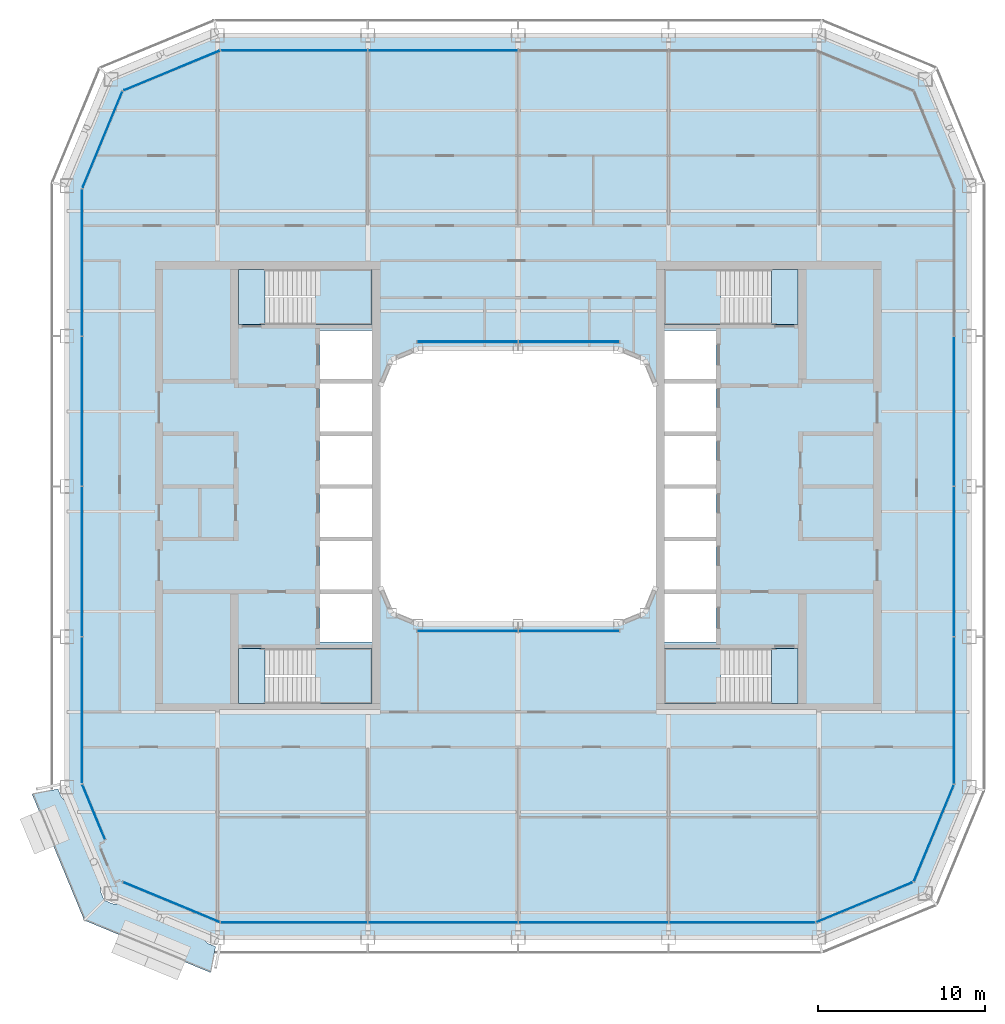
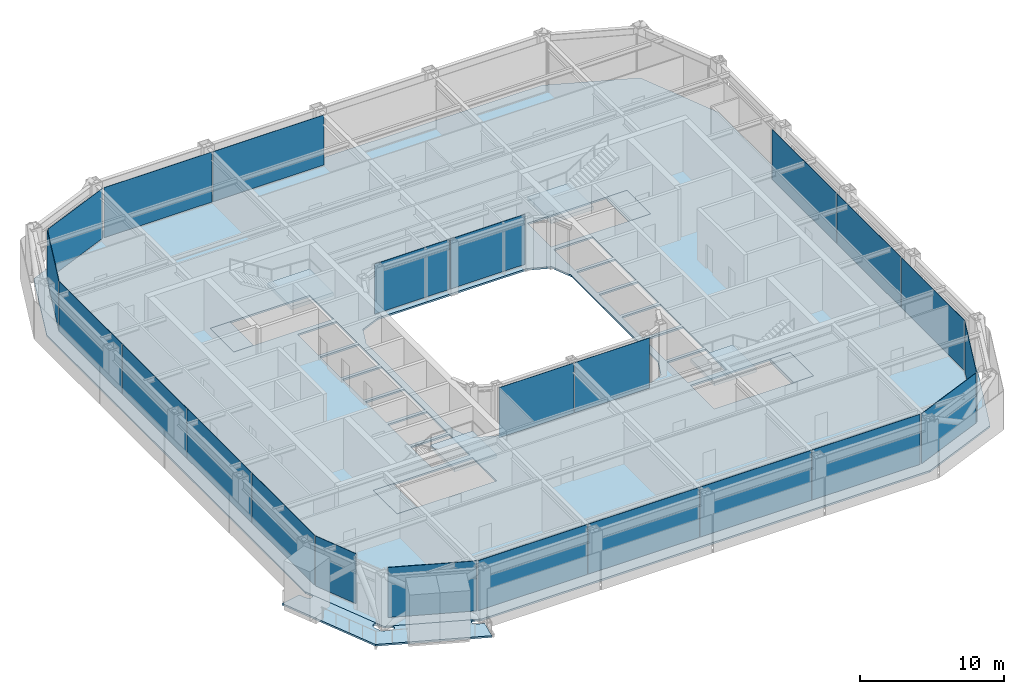
# One storey, part 11 of 23: 23 plates, 10 slabs, 16 elements without a shape of their own.
"""IFC4 building model written with IfcOpenShell, lengths in metres."""

from ifc_helpers import new_model, si_unit, direction, frame, origin, origin_2d, place, context, subcontext, project, spatial, polyline, rectangle, outline, extrude, material, layer, layer_set, type_object, element, aggregate, save


model = new_model("IFC4")

# Units and contexts
model_context = context("Model", 3, precision=1e-05, world=origin(), true_north=direction((0.0, 1.0)))
body_context = subcontext(model_context, "Body", "Model", "MODEL_VIEW")
ifc_project = project(units=[si_unit("LENGTHUNIT", "METRE"), si_unit("AREAUNIT", "SQUARE_METRE"), si_unit("VOLUMEUNIT", "CUBIC_METRE"), si_unit("PLANEANGLEUNIT", "RADIAN"), si_unit("MASSUNIT", "GRAM", prefix="KILO")], contexts=[model_context])

# Site, building, storey
site_placement = place(None, origin())
site = spatial("IfcSite", under=ifc_project, at=site_placement, CompositionType="ELEMENT")
building_placement = place(site_placement, origin())
building = spatial("IfcBuilding", under=site, at=building_placement, Name="Siwar Civic Tower", CompositionType="ELEMENT")
storey_placement = place(building_placement, frame((0.0, 0.0, 197.199951171875)))
storey = spatial("IfcBuildingStorey", under=building, at=storey_placement, Name="L42", CompositionType="ELEMENT", Elevation=197.199951171875)

# Stair, slabs
ifc_material_1 = material(Name="Concrete C40/50", Category="concrete")
stair_type = type_object("IfcStairType", Name="CORE-STAIR", PredefinedType="TWO_STRAIGHT_RUN_STAIR", material=ifc_material_1)
stair_1_placement = place(storey_placement, origin())
stair_1 = element("IfcStair", 1, at=stair_1_placement, inside=storey, type_object=stair_type, Name="Exit stair ST1", PredefinedType="TWO_STRAIGHT_RUN_STAIR")
ifc_material_2 = material(Name="Concrete C40/50", Category="concrete")
ifc_layer_1 = layer(ifc_material_2, 0.300048828125)
ifc_layer_set_1 = layer_set([ifc_layer_1], Name="Concrete C40/50")
slab_type_1 = type_object("IfcSlabType", Name="CORE-STAIR-LANDING", PredefinedType="LANDING", material=ifc_layer_set_1)
slab_1_placement = place(storey_placement, frame((0.0, 0.0, -0.300048828125)))
slab_1 = element("IfcSlab", 2, at=slab_1_placement, type_object=slab_type_1, Name="ST1 landing 1", PredefinedType="LANDING", context=body_context, shape_type="SweptSolid", body=[
    extrude(outline(polyline([(-15.14990234375, 13.0), (-16.75, 13.0), (-16.75, 9.699951171875), (-15.14990234375, 9.699951171875), (-15.14990234375, 13.0)])), origin(), (0.0, 0.0, 1.0), 0.300048828125),
])
slab_2_placement = place(storey_placement, frame((0.0, 0.0, 1.949951171875)))
slab_2 = element("IfcSlab", 3, at=slab_2_placement, type_object=slab_type_1, Name="ST1 landing 2", PredefinedType="LANDING", context=body_context, shape_type="SweptSolid", body=[
    extrude(outline(polyline([(-8.75, 13.0), (-12.139892578125, 13.0), (-12.139892578125, 9.699951171875), (-8.75, 9.699951171875), (-8.75, 13.0)])), origin(), (0.0, 0.0, 1.0), 0.300048828125),
])
aggregate(stair_1, [slab_1, slab_2])

stair_2_placement = place(storey_placement, origin())
stair_2 = element("IfcStair", 4, at=stair_2_placement, inside=storey, type_object=stair_type, Name="Exit stair ST2", PredefinedType="TWO_STRAIGHT_RUN_STAIR")
slab_3_placement = place(storey_placement, frame((0.0, 0.0, -0.300048828125)))
slab_3 = element("IfcSlab", 5, at=slab_3_placement, type_object=slab_type_1, Name="ST2 landing 1", PredefinedType="LANDING", context=body_context, shape_type="SweptSolid", body=[
    extrude(outline(polyline([(-15.14990234375, -9.699951171875), (-16.75, -9.699951171875), (-16.75, -13.0), (-15.14990234375, -13.0), (-15.14990234375, -9.699951171875)])), origin(), (0.0, 0.0, 1.0), 0.300048828125),
])
slab_4_placement = place(storey_placement, frame((0.0, 0.0, 1.949951171875)))
slab_4 = element("IfcSlab", 6, at=slab_4_placement, type_object=slab_type_1, Name="ST2 landing 2", PredefinedType="LANDING", context=body_context, shape_type="SweptSolid", body=[
    extrude(outline(polyline([(-8.75, -9.699951171875), (-12.139892578125, -9.699951171875), (-12.139892578125, -13.0), (-8.75, -13.0), (-8.75, -9.699951171875)])), origin(), (0.0, 0.0, 1.0), 0.300048828125),
])
aggregate(stair_2, [slab_3, slab_4])

stair_3_placement = place(storey_placement, origin())
stair_3 = element("IfcStair", 7, at=stair_3_placement, inside=storey, type_object=stair_type, Name="Exit stair ST3", PredefinedType="TWO_STRAIGHT_RUN_STAIR")
slab_5_placement = place(storey_placement, frame((0.0, 0.0, -0.300048828125)))
slab_5 = element("IfcSlab", 8, at=slab_5_placement, type_object=slab_type_1, Name="ST3 landing 1", PredefinedType="LANDING", context=body_context, shape_type="SweptSolid", body=[
    extrude(outline(polyline([(15.14990234375, 9.699951171875), (16.75, 9.699951171875), (16.75, 13.0), (15.14990234375, 13.0), (15.14990234375, 9.699951171875)])), origin(), (0.0, 0.0, 1.0), 0.300048828125),
])
slab_6_placement = place(storey_placement, frame((0.0, 0.0, 1.949951171875)))
slab_6 = element("IfcSlab", 9, at=slab_6_placement, type_object=slab_type_1, Name="ST3 landing 2", PredefinedType="LANDING", context=body_context, shape_type="SweptSolid", body=[
    extrude(outline(polyline([(8.75, 9.699951171875), (12.139892578125, 9.699951171875), (12.139892578125, 13.0), (8.75, 13.0), (8.75, 9.699951171875)])), origin(), (0.0, 0.0, 1.0), 0.300048828125),
])
aggregate(stair_3, [slab_5, slab_6])

stair_4_placement = place(storey_placement, origin())
stair_4 = element("IfcStair", 10, at=stair_4_placement, inside=storey, type_object=stair_type, Name="Exit stair ST4", PredefinedType="TWO_STRAIGHT_RUN_STAIR")
slab_7_placement = place(storey_placement, frame((0.0, 0.0, -0.300048828125)))
slab_7 = element("IfcSlab", 11, at=slab_7_placement, type_object=slab_type_1, Name="ST4 landing 1", PredefinedType="LANDING", context=body_context, shape_type="SweptSolid", body=[
    extrude(outline(polyline([(15.14990234375, -13.0), (16.75, -13.0), (16.75, -9.699951171875), (15.14990234375, -9.699951171875), (15.14990234375, -13.0)])), origin(), (0.0, 0.0, 1.0), 0.300048828125),
])
slab_8_placement = place(storey_placement, frame((0.0, 0.0, 1.949951171875)))
slab_8 = element("IfcSlab", 12, at=slab_8_placement, type_object=slab_type_1, Name="ST4 landing 2", PredefinedType="LANDING", context=body_context, shape_type="SweptSolid", body=[
    extrude(outline(polyline([(8.75, -13.0), (12.139892578125, -13.0), (12.139892578125, -9.699951171875), (8.75, -9.699951171875), (8.75, -13.0)])), origin(), (0.0, 0.0, 1.0), 0.300048828125),
])
aggregate(stair_4, [slab_7, slab_8])

# Slab
ifc_material_3 = material(Name="Concrete C40/50", Category="concrete")
ifc_layer_2 = layer(ifc_material_3, 0.14990234375)
ifc_layer_set_2 = layer_set([ifc_layer_2], Name="Concrete C40/50")
slab_type_2 = type_object("IfcSlabType", Name="ENV-BALCONY DECK 150", PredefinedType="FLOOR", material=ifc_layer_set_2)
slab_9_placement = place(storey_placement, frame((0.0, 0.0, -0.1494140625)))
element("IfcSlab", 13, at=slab_9_placement, inside=storey, type_object=slab_type_2, Name="Tree balcony deck SW", PredefinedType="FLOOR", context=body_context, shape_type="SweptSolid", body=[
    extrude(outline(polyline([(-24.66552734375, -24.81689453125), (-24.6796875, -24.808837890625), (-24.68701171875, -24.80419921875), (-24.693603515625, -24.798583984375), (-24.7041015625, -24.7890625), (-24.7890625, -24.7890625), (-24.7890625, -24.712646484375), (-24.801025390625, -24.695556640625), (-24.806640625, -24.686279296875), (-24.818603515625, -24.662353515625), (-24.82080078125, -24.657470703125), (-24.82080078125, -24.657470703125), (-24.82080078125, -24.657470703125), (-24.82080078125, -24.657470703125), (-24.82080078125, -24.657470703125), (-24.82421875, -24.649658203125), (-24.924560546875, -24.40869140625), (-24.94384765625, -24.362060546875), (-24.94482421875, -24.35986328125), (-24.96533203125, -24.305419921875), (-24.967041015625, -24.300537109375), (-24.98388671875, -24.244873046875), (-24.985595703125, -24.238037109375), (-24.99560546875, -24.189208984375), (-24.99658203125, -24.183837890625), (-25.002685546875, -24.13427734375), (-25.003173828125, -24.12890625), (-25.006103515625, -24.0791015625), (-25.006103515625, -24.073974609375), (-25.005615234375, -24.024169921875), (-25.00537109375, -24.0185546875), (-25.004638671875, -24.0126953125), (-24.99755859375, -23.970947265625), (-24.995849609375, -23.96337890625), (-24.993408203125, -23.9560546875), (-24.98046875, -23.922607421875), (-24.978271484375, -23.91748046875), (-24.962646484375, -23.88525390625), (-24.96044921875, -23.880615234375), (-24.942626953125, -23.849365234375), (-24.93896484375, -23.84326171875), (-24.9345703125, -23.837646484375), (-24.9296875, -23.83251953125), (-24.906982421875, -23.810546875), (-24.900634765625, -23.804931640625), (-24.8935546875, -23.80029296875), (-24.885986328125, -23.796142578125), (-24.85888671875, -23.78369140625), (-24.85400390625, -23.78173828125), (-24.826171875, -23.771240234375), (-24.818115234375, -23.768798828125), (-24.8095703125, -23.76708984375), (-24.80126953125, -23.7666015625), (-24.769775390625, -23.765869140625), (-24.762451171875, -23.76611328125), (-24.75537109375, -23.766845703125), (-24.74853515625, -23.7685546875), (-24.7138671875, -23.77783203125), (-24.708984375, -23.779541015625), (-24.675048828125, -23.791259765625), (-24.669921875, -23.793212890625), (-24.636962890625, -23.8076171875), (-24.630126953125, -23.81103515625), (-24.62353515625, -23.815185546875), (-24.5888671875, -23.839599609375), (-24.58447265625, -23.84326171875), (-24.580078125, -23.846923828125), (-24.57666015625, -23.85009765625), (-26.77978515625, -18.531494140625), (-26.7802734375, -18.5654296875), (-26.780517578125, -18.5712890625), (-26.78125, -18.576904296875), (-26.788330078125, -18.61865234375), (-26.789794921875, -18.626220703125), (-26.792236328125, -18.633544921875), (-26.805419921875, -18.6669921875), (-26.8076171875, -18.672119140625), (-26.822998046875, -18.70458984375), (-26.825439453125, -18.709228515625), (-26.84326171875, -18.740234375), (-26.846923828125, -18.746337890625), (-26.851318359375, -18.751953125), (-26.856201171875, -18.75732421875), (-26.87890625, -18.779052734375), (-26.88525390625, -18.78466796875), (-26.892333984375, -18.78955078125), (-26.899658203125, -18.79345703125), (-26.927001953125, -18.805908203125), (-26.931884765625, -18.80810546875), (-26.959716796875, -18.818603515625), (-26.9677734375, -18.821044921875), (-26.97607421875, -18.82275390625), (-26.984619140625, -18.8232421875), (-27.01611328125, -18.823974609375), (-27.023193359375, -18.82373046875), (-27.0302734375, -18.82275390625), (-27.037353515625, -18.8212890625), (-27.072021484375, -18.811767578125), (-27.076904296875, -18.810302734375), (-27.11083984375, -18.79833984375), (-27.115966796875, -18.79638671875), (-27.14892578125, -18.7822265625), (-27.15576171875, -18.77880859375), (-27.162353515625, -18.774658203125), (-27.197021484375, -18.75), (-27.201416015625, -18.74658203125), (-27.205810546875, -18.74267578125), (-27.241455078125, -18.7080078125), (-27.2451171875, -18.704345703125), (-27.278564453125, -18.667236328125), (-27.281982421875, -18.663330078125), (-27.312744140625, -18.623779296875), (-27.31591796875, -18.619384765625), (-27.343505859375, -18.577880859375), (-27.34716796875, -18.57177734375), (-27.374755859375, -18.520751953125), (-27.377197265625, -18.51611328125), (-27.4013671875, -18.463134765625), (-27.40234375, -18.4609375), (-27.405517578125, -18.453125), (-27.417236328125, -18.425048828125), (-27.425048828125, -18.425048828125), (-27.425048828125, -18.406494140625), (-27.522216796875, -18.17333984375), (-27.525390625, -18.16552734375), (-27.525390625, -18.16552734375), (-27.52783203125, -18.15869140625), (-27.533935546875, -18.13916015625), (-27.53564453125, -18.13232421875), (-27.53662109375, -18.12548828125), (-27.538818359375, -18.107177734375), (-29.10009765625, -18.417724609375), (-25.97119140625, -25.97119140625), (-18.417724609375, -29.10009765625), (-18.106689453125, -27.5361328125), (-18.107421875, -27.5361328125), (-18.1240234375, -27.535400390625), (-18.1328125, -27.53466796875), (-18.141357421875, -27.53271484375), (-18.156982421875, -27.5283203125), (-18.16552734375, -27.525390625), (-18.170166015625, -27.5234375), (-18.17333984375, -27.522216796875), (-18.18896484375, -27.515625), (-18.227783203125, -27.49951171875), (-18.240234375, -27.494140625), (-18.406494140625, -27.425048828125), (-18.425048828125, -27.425048828125), (-18.425048828125, -27.417236328125), (-18.453125, -27.405517578125), (-18.4609375, -27.40234375), (-18.463134765625, -27.4013671875), (-18.51611328125, -27.377197265625), (-18.520751953125, -27.374755859375), (-18.57177734375, -27.34716796875), (-18.577880859375, -27.343505859375), (-18.619384765625, -27.31591796875), (-18.623779296875, -27.312744140625), (-18.663330078125, -27.281982421875), (-18.667236328125, -27.278564453125), (-18.704345703125, -27.2451171875), (-18.7080078125, -27.241455078125), (-18.74267578125, -27.205810546875), (-18.74658203125, -27.201416015625), (-18.75, -27.197021484375), (-18.774658203125, -27.162353515625), (-18.77880859375, -27.15576171875), (-18.7822265625, -27.14892578125), (-18.79638671875, -27.115966796875), (-18.79833984375, -27.11083984375), (-18.810302734375, -27.076904296875), (-18.811767578125, -27.072021484375), (-18.8212890625, -27.037353515625), (-18.82275390625, -27.0302734375), (-18.82373046875, -27.023193359375), (-18.823974609375, -27.01611328125), (-18.8232421875, -26.984619140625), (-18.82275390625, -26.97607421875), (-18.821044921875, -26.9677734375), (-18.818603515625, -26.959716796875), (-18.80810546875, -26.931884765625), (-18.805908203125, -26.927001953125), (-18.79345703125, -26.899658203125), (-18.78955078125, -26.892333984375), (-18.78466796875, -26.88525390625), (-18.779052734375, -26.87890625), (-18.75732421875, -26.856201171875), (-18.751953125, -26.851318359375), (-18.746337890625, -26.846923828125), (-18.740234375, -26.84326171875), (-18.709228515625, -26.825439453125), (-18.70458984375, -26.822998046875), (-18.672119140625, -26.8076171875), (-18.6669921875, -26.805419921875), (-18.633544921875, -26.792236328125), (-18.626220703125, -26.789794921875), (-18.61865234375, -26.788330078125), (-18.576904296875, -26.78125), (-18.5712890625, -26.780517578125), (-18.5654296875, -26.7802734375), (-18.531494140625, -26.77978515625), (-23.85009765625, -24.57666015625), (-23.846923828125, -24.580078125), (-23.84326171875, -24.58447265625), (-23.839599609375, -24.5888671875), (-23.815185546875, -24.62353515625), (-23.81103515625, -24.630126953125), (-23.8076171875, -24.636962890625), (-23.793212890625, -24.669921875), (-23.791259765625, -24.675048828125), (-23.779541015625, -24.708984375), (-23.77783203125, -24.7138671875), (-23.7685546875, -24.74853515625), (-23.766845703125, -24.75537109375), (-23.76611328125, -24.762451171875), (-23.765869140625, -24.769775390625), (-23.7666015625, -24.80126953125), (-23.76708984375, -24.8095703125), (-23.768798828125, -24.818115234375), (-23.771240234375, -24.826171875), (-23.78173828125, -24.85400390625), (-23.78369140625, -24.85888671875), (-23.796142578125, -24.885986328125), (-23.80029296875, -24.8935546875), (-23.804931640625, -24.900634765625), (-23.810546875, -24.906982421875), (-23.83251953125, -24.9296875), (-23.837646484375, -24.9345703125), (-23.84326171875, -24.93896484375), (-23.849365234375, -24.942626953125), (-23.880615234375, -24.96044921875), (-23.88525390625, -24.962646484375), (-23.91748046875, -24.978271484375), (-23.922607421875, -24.98046875), (-23.9560546875, -24.993408203125), (-23.96337890625, -24.995849609375), (-23.970947265625, -24.99755859375), (-24.0126953125, -25.004638671875), (-24.0185546875, -25.00537109375), (-24.024169921875, -25.005615234375), (-24.073974609375, -25.006103515625), (-24.0791015625, -25.006103515625), (-24.12890625, -25.003173828125), (-24.13427734375, -25.002685546875), (-24.183837890625, -24.99658203125), (-24.189208984375, -24.99560546875), (-24.238037109375, -24.985595703125), (-24.244873046875, -24.98388671875), (-24.300537109375, -24.967041015625), (-24.305419921875, -24.96533203125), (-24.35986328125, -24.94482421875), (-24.362060546875, -24.94384765625), (-24.40869140625, -24.924560546875), (-24.649658203125, -24.82421875), (-24.657470703125, -24.82080078125), (-24.66552734375, -24.81689453125)])), origin(), (0.0, 0.0, 1.0), 0.1494140625),
])

# Curtain wall, plates
ifc_material_4 = material(Name="Aluminium and glass", Category="aluminium")
ifc_layer_3 = layer(ifc_material_4, 0.179931640625)
ifc_layer_set_3 = layer_set([ifc_layer_3], Name="Aluminium and glass")
curtain_wall_type_1 = type_object("IfcCurtainWallType", Name="ENV-CW-C", PredefinedType="NOTDEFINED", material=ifc_layer_set_3)
curtain_wall_1_placement = place(storey_placement, origin())
curtain_wall_1 = element("IfcCurtainWall", 14, at=curtain_wall_1_placement, inside=storey, type_object=curtain_wall_type_1, Name="Curtain wall C S", PredefinedType="NOTDEFINED")
ifc_material_5 = material(Name="Glass clear laminated", Category="glass")
ifc_layer_4 = layer(ifc_material_5, 0.031982421875)
ifc_layer_set_4 = layer_set([ifc_layer_4], Name="Glass clear laminated")
plate_type_1 = type_object("IfcPlateType", Name="ENV-PANEL-C", PredefinedType="CURTAIN_PANEL", material=ifc_layer_set_4)
plate_1_placement = place(storey_placement, frame((-13.410400390625, -26.10009765625, 0.10009765625), z_axis=(0.0, 0.0, 1.0), x_axis=(1.0, 0.0, 0.0)))
plate_1 = element("IfcPlate", 15, at=plate_1_placement, type_object=plate_type_1, Name="Curtain panel C S 1", PredefinedType="CURTAIN_PANEL", context=body_context, shape_type="SweptSolid", body=[
    extrude(rectangle(XDim=8.760986328125, YDim=0.031982421875, at=origin_2d()), origin(), (0.0, 0.0, 1.0), 4.25),
])
plate_2_placement = place(storey_placement, frame((-4.5, -26.10009765625, 0.10009765625), z_axis=(0.0, 0.0, 1.0), x_axis=(1.0, 0.0, 0.0)))
plate_2 = element("IfcPlate", 16, at=plate_2_placement, type_object=plate_type_1, Name="Curtain panel C S 2", PredefinedType="CURTAIN_PANEL", context=body_context, shape_type="SweptSolid", body=[
    extrude(rectangle(XDim=8.93994140625, YDim=0.031982421875, at=origin_2d()), origin(), (0.0, 0.0, 1.0), 4.25),
])
plate_3_placement = place(storey_placement, frame((4.5, -26.10009765625, 0.10009765625), z_axis=(0.0, 0.0, 1.0), x_axis=(1.0, 0.0, 0.0)))
plate_3 = element("IfcPlate", 17, at=plate_3_placement, type_object=plate_type_1, Name="Curtain panel C S 3", PredefinedType="CURTAIN_PANEL", context=body_context, shape_type="SweptSolid", body=[
    extrude(rectangle(XDim=8.93994140625, YDim=0.031982421875, at=origin_2d()), origin(), (0.0, 0.0, 1.0), 4.25),
])
plate_4_placement = place(storey_placement, frame((13.373046875, -26.10009765625, 0.10009765625), z_axis=(0.0, 0.0, 1.0), x_axis=(1.0, 0.0, 0.0)))
plate_4 = element("IfcPlate", 18, at=plate_4_placement, type_object=plate_type_1, Name="Curtain panel C S 4", PredefinedType="CURTAIN_PANEL", context=body_context, shape_type="SweptSolid", body=[
    extrude(rectangle(XDim=8.68603515625, YDim=0.031982421875, at=origin_2d()), origin(), (0.0, 0.0, 1.0), 4.25),
])
aggregate(curtain_wall_1, [plate_1, plate_2, plate_3, plate_4])

curtain_wall_2_placement = place(storey_placement, origin())
curtain_wall_2 = element("IfcCurtainWall", 19, at=curtain_wall_2_placement, inside=storey, type_object=curtain_wall_type_1, Name="Curtain wall C E", PredefinedType="NOTDEFINED")
plate_5_placement = place(storey_placement, frame((26.10009765625, -13.410400390625, 0.10009765625), z_axis=(0.0, 0.0, 1.0), x_axis=(0.0, 1.0, 0.0)))
plate_5 = element("IfcPlate", 20, at=plate_5_placement, type_object=plate_type_1, Name="Curtain panel C E 1", PredefinedType="CURTAIN_PANEL", context=body_context, shape_type="SweptSolid", body=[
    extrude(rectangle(XDim=8.760986328125, YDim=0.031982421875, at=origin_2d()), origin(), (0.0, 0.0, 1.0), 4.25),
])
plate_6_placement = place(storey_placement, frame((26.10009765625, -4.5, 0.10009765625), z_axis=(0.0, 0.0, 1.0), x_axis=(0.0, 1.0, 0.0)))
plate_6 = element("IfcPlate", 21, at=plate_6_placement, type_object=plate_type_1, Name="Curtain panel C E 2", PredefinedType="CURTAIN_PANEL", context=body_context, shape_type="SweptSolid", body=[
    extrude(rectangle(XDim=8.93994140625, YDim=0.031982421875, at=origin_2d()), origin(), (0.0, 0.0, 1.0), 4.25),
])
plate_7_placement = place(storey_placement, frame((26.10009765625, 4.5, 0.10009765625), z_axis=(0.0, 0.0, 1.0), x_axis=(0.0, 1.0, 0.0)))
plate_7 = element("IfcPlate", 22, at=plate_7_placement, type_object=plate_type_1, Name="Curtain panel C E 3", PredefinedType="CURTAIN_PANEL", context=body_context, shape_type="SweptSolid", body=[
    extrude(rectangle(XDim=8.93994140625, YDim=0.031982421875, at=origin_2d()), origin(), (0.0, 0.0, 1.0), 4.25),
])
aggregate(curtain_wall_2, [plate_5, plate_6, plate_7])

curtain_wall_3_placement = place(storey_placement, origin())
curtain_wall_3 = element("IfcCurtainWall", 23, at=curtain_wall_3_placement, inside=storey, type_object=curtain_wall_type_1, Name="Curtain wall C N", PredefinedType="NOTDEFINED")
plate_8_placement = place(storey_placement, frame((-4.5, 26.10009765625, 0.10009765625), z_axis=(0.0, 0.0, 1.0), x_axis=(-1.0, 0.0, 0.0)))
plate_8 = element("IfcPlate", 24, at=plate_8_placement, type_object=plate_type_1, Name="Curtain panel C N 3", PredefinedType="CURTAIN_PANEL", context=body_context, shape_type="SweptSolid", body=[
    extrude(rectangle(XDim=8.93994140625, YDim=0.031982421875, at=origin_2d()), origin(), (0.0, 0.0, 1.0), 4.25),
])
plate_9_placement = place(storey_placement, frame((-13.373046875, 26.10009765625, 0.10009765625), z_axis=(0.0, 0.0, 1.0), x_axis=(-1.0, 0.0, 0.0)))
plate_9 = element("IfcPlate", 25, at=plate_9_placement, type_object=plate_type_1, Name="Curtain panel C N 4", PredefinedType="CURTAIN_PANEL", context=body_context, shape_type="SweptSolid", body=[
    extrude(rectangle(XDim=8.68603515625, YDim=0.031982421875, at=origin_2d()), origin(), (0.0, 0.0, 1.0), 4.25),
])
aggregate(curtain_wall_3, [plate_8, plate_9])

curtain_wall_4_placement = place(storey_placement, origin())
curtain_wall_4 = element("IfcCurtainWall", 26, at=curtain_wall_4_placement, inside=storey, type_object=curtain_wall_type_1, Name="Curtain wall C W", PredefinedType="NOTDEFINED")
plate_10_placement = place(storey_placement, frame((-26.10009765625, 13.410400390625, 0.10009765625), z_axis=(0.0, 0.0, 1.0), x_axis=(0.0, -1.0, 0.0)))
plate_10 = element("IfcPlate", 27, at=plate_10_placement, type_object=plate_type_1, Name="Curtain panel C W 1", PredefinedType="CURTAIN_PANEL", context=body_context, shape_type="SweptSolid", body=[
    extrude(rectangle(XDim=8.760986328125, YDim=0.031982421875, at=origin_2d()), origin(), (0.0, 0.0, 1.0), 4.25),
])
plate_11_placement = place(storey_placement, frame((-26.10009765625, 4.5, 0.10009765625), z_axis=(0.0, 0.0, 1.0), x_axis=(0.0, -1.0, 0.0)))
plate_11 = element("IfcPlate", 28, at=plate_11_placement, type_object=plate_type_1, Name="Curtain panel C W 2", PredefinedType="CURTAIN_PANEL", context=body_context, shape_type="SweptSolid", body=[
    extrude(rectangle(XDim=8.93994140625, YDim=0.031982421875, at=origin_2d()), origin(), (0.0, 0.0, 1.0), 4.25),
])
plate_12_placement = place(storey_placement, frame((-26.10009765625, -4.5, 0.10009765625), z_axis=(0.0, 0.0, 1.0), x_axis=(0.0, -1.0, 0.0)))
plate_12 = element("IfcPlate", 29, at=plate_12_placement, type_object=plate_type_1, Name="Curtain panel C W 3", PredefinedType="CURTAIN_PANEL", context=body_context, shape_type="SweptSolid", body=[
    extrude(rectangle(XDim=8.93994140625, YDim=0.031982421875, at=origin_2d()), origin(), (0.0, 0.0, 1.0), 4.25),
])
plate_13_placement = place(storey_placement, frame((-26.10009765625, -13.373046875, 0.10009765625), z_axis=(0.0, 0.0, 1.0), x_axis=(0.0, -1.0, 0.0)))
plate_13 = element("IfcPlate", 30, at=plate_13_placement, type_object=plate_type_1, Name="Curtain panel C W 4", PredefinedType="CURTAIN_PANEL", context=body_context, shape_type="SweptSolid", body=[
    extrude(rectangle(XDim=8.68603515625, YDim=0.031982421875, at=origin_2d()), origin(), (0.0, 0.0, 1.0), 4.25),
])
aggregate(curtain_wall_4, [plate_10, plate_11, plate_12, plate_13])

# Curtain wall, plate
ifc_material_6 = material(Name="Aluminium clad insulated panel", Category="aluminium")
ifc_layer_5 = layer(ifc_material_6, 0.179931640625)
ifc_layer_set_5 = layer_set([ifc_layer_5], Name="Aluminium clad insulated panel")
curtain_wall_type_2 = type_object("IfcCurtainWallType", Name="ENV-CW-CX", PredefinedType="NOTDEFINED", material=ifc_layer_set_5)
curtain_wall_5_placement = place(storey_placement, origin())
curtain_wall_5 = element("IfcCurtainWall", 31, at=curtain_wall_5_placement, inside=storey, type_object=curtain_wall_type_2, Name="Curtain wall C SE1", PredefinedType="NOTDEFINED")
ifc_material_7 = material(Name="Aluminium clad insulated panel", Category="aluminium")
ifc_layer_6 = layer(ifc_material_7, 0.031982421875)
ifc_layer_set_6 = layer_set([ifc_layer_6], Name="Aluminium clad insulated panel")
plate_type_2 = type_object("IfcPlateType", Name="ENV-PANEL-CX", PredefinedType="CURTAIN_PANEL", material=ifc_layer_set_6)
plate_14_placement = place(storey_placement, frame((20.71337890625, -24.90185546875, 0.10009765625), z_axis=(0.0, 0.0, 1.0), x_axis=(0.923879532511, 0.382683432365, 0.0)))
plate_14 = element("IfcPlate", 32, at=plate_14_placement, type_object=plate_type_2, Name="Curtain panel C SE1 1", PredefinedType="CURTAIN_PANEL", context=body_context, shape_type="SweptSolid", body=[
    extrude(rectangle(XDim=6.20166015625, YDim=0.031982421875, at=origin_2d()), origin(), (0.0, 0.0, 1.0), 4.25),
])
aggregate(curtain_wall_5, [plate_14])

curtain_wall_6_placement = place(storey_placement, origin())
curtain_wall_6 = element("IfcCurtainWall", 33, at=curtain_wall_6_placement, inside=storey, type_object=curtain_wall_type_2, Name="Curtain wall C SE2", PredefinedType="NOTDEFINED")
plate_15_placement = place(storey_placement, frame((24.873291015625, -20.78271484375, 0.10009765625), z_axis=(0.0, 0.0, 1.0), x_axis=(0.382683432365, 0.923879532511, 0.0)))
plate_15 = element("IfcPlate", 34, at=plate_15_placement, type_object=plate_type_2, Name="Curtain panel C SE2 1", PredefinedType="CURTAIN_PANEL", context=body_context, shape_type="SweptSolid", body=[
    extrude(rectangle(XDim=6.20166015625, YDim=0.031982421875, at=origin_2d()), origin(), (0.0, 0.0, 1.0), 4.25),
])
aggregate(curtain_wall_6, [plate_15])

curtain_wall_7_placement = place(storey_placement, origin())
curtain_wall_7 = element("IfcCurtainWall", 35, at=curtain_wall_7_placement, inside=storey, type_object=curtain_wall_type_2, Name="Curtain wall C NW1", PredefinedType="NOTDEFINED")
plate_16_placement = place(storey_placement, frame((-20.71337890625, 24.90185546875, 0.10009765625), z_axis=(0.0, 0.0, 1.0), x_axis=(-0.923879532511, -0.382683432365, 0.0)))
plate_16 = element("IfcPlate", 36, at=plate_16_placement, type_object=plate_type_2, Name="Curtain panel C NW1 1", PredefinedType="CURTAIN_PANEL", context=body_context, shape_type="SweptSolid", body=[
    extrude(rectangle(XDim=6.20166015625, YDim=0.031982421875, at=origin_2d()), origin(), (0.0, 0.0, 1.0), 4.25),
])
aggregate(curtain_wall_7, [plate_16])

curtain_wall_8_placement = place(storey_placement, origin())
curtain_wall_8 = element("IfcCurtainWall", 37, at=curtain_wall_8_placement, inside=storey, type_object=curtain_wall_type_2, Name="Curtain wall C NW2", PredefinedType="NOTDEFINED")
plate_17_placement = place(storey_placement, frame((-24.873291015625, 20.78271484375, 0.10009765625), z_axis=(0.0, 0.0, 1.0), x_axis=(-0.382683432365, -0.923879532511, 0.0)))
plate_17 = element("IfcPlate", 38, at=plate_17_placement, type_object=plate_type_2, Name="Curtain panel C NW2 1", PredefinedType="CURTAIN_PANEL", context=body_context, shape_type="SweptSolid", body=[
    extrude(rectangle(XDim=6.20166015625, YDim=0.031982421875, at=origin_2d()), origin(), (0.0, 0.0, 1.0), 4.25),
])
aggregate(curtain_wall_8, [plate_17])

curtain_wall_9_placement = place(storey_placement, origin())
curtain_wall_9 = element("IfcCurtainWall", 39, at=curtain_wall_9_placement, inside=storey, type_object=curtain_wall_type_2, Name="Curtain wall C SW1", PredefinedType="NOTDEFINED")
plate_18_placement = place(storey_placement, frame((-25.40966796875, -19.4873046875, 0.10009765625), z_axis=(0.0, 0.0, 1.0), x_axis=(0.382683432365, -0.923879532511, 0.0)))
plate_18 = element("IfcPlate", 40, at=plate_18_placement, type_object=plate_type_2, Name="Curtain panel C SW1 1", PredefinedType="CURTAIN_PANEL", context=body_context, shape_type="SweptSolid", body=[
    extrude(rectangle(XDim=3.54736328125, YDim=0.031982421875, at=origin_2d()), origin(), (0.0, 0.0, 1.0), 4.25),
])
aggregate(curtain_wall_9, [plate_18])

curtain_wall_10_placement = place(storey_placement, origin())
curtain_wall_10 = element("IfcCurtainWall", 41, at=curtain_wall_10_placement, inside=storey, type_object=curtain_wall_type_2, Name="Curtain wall C SW2", PredefinedType="NOTDEFINED")
plate_19_placement = place(storey_placement, frame((-20.78271484375, -24.873291015625, 0.10009765625), z_axis=(0.0, 0.0, 1.0), x_axis=(0.923879532511, -0.382683432365, 0.0)))
plate_19 = element("IfcPlate", 42, at=plate_19_placement, type_object=plate_type_2, Name="Curtain panel C SW2 1", PredefinedType="CURTAIN_PANEL", context=body_context, shape_type="SweptSolid", body=[
    extrude(rectangle(XDim=6.20166015625, YDim=0.031982421875, at=origin_2d()), origin(), (0.0, 0.0, 1.0), 4.25),
])
aggregate(curtain_wall_10, [plate_19])

# Curtain wall, plates
ifc_material_8 = material(Name="Aluminium and glass", Category="aluminium")
ifc_layer_7 = layer(ifc_material_8, 0.179931640625)
ifc_layer_set_7 = layer_set([ifc_layer_7], Name="Aluminium and glass")
curtain_wall_type_3 = type_object("IfcCurtainWallType", Name="ENV-CW-W", PredefinedType="NOTDEFINED", material=ifc_layer_set_7)
curtain_wall_11_placement = place(storey_placement, origin())
curtain_wall_11 = element("IfcCurtainWall", 43, at=curtain_wall_11_placement, inside=storey, type_object=curtain_wall_type_3, Name="Curtain wall W WS", PredefinedType="NOTDEFINED")
ifc_material_9 = material(Name="Glass clear laminated", Category="glass")
ifc_layer_8 = layer(ifc_material_9, 0.031982421875)
ifc_layer_set_8 = layer_set([ifc_layer_8], Name="Glass clear laminated")
plate_type_3 = type_object("IfcPlateType", Name="ENV-PANEL-W", PredefinedType="CURTAIN_PANEL", material=ifc_layer_set_8)
plate_20_placement = place(storey_placement, frame((-3.040771484375, -8.659912109375, 0.10009765625), z_axis=(0.0, 0.0, 1.0), x_axis=(1.0, 0.0, 0.0)))
plate_20 = element("IfcPlate", 44, at=plate_20_placement, type_object=plate_type_3, Name="Curtain panel W WS 1", PredefinedType="CURTAIN_PANEL", context=body_context, shape_type="SweptSolid", body=[
    extrude(rectangle(XDim=6.021484375, YDim=0.031982421875, at=origin_2d()), origin(), (0.0, 0.0, 1.0), 4.25),
])
plate_21_placement = place(storey_placement, frame((3.040771484375, -8.659912109375, 0.10009765625), z_axis=(0.0, 0.0, 1.0), x_axis=(1.0, 0.0, 0.0)))
plate_21 = element("IfcPlate", 45, at=plate_21_placement, type_object=plate_type_3, Name="Curtain panel W WS 2", PredefinedType="CURTAIN_PANEL", context=body_context, shape_type="SweptSolid", body=[
    extrude(rectangle(XDim=6.021484375, YDim=0.031982421875, at=origin_2d()), origin(), (0.0, 0.0, 1.0), 4.25),
])
aggregate(curtain_wall_11, [plate_20, plate_21])

curtain_wall_12_placement = place(storey_placement, origin())
curtain_wall_12 = element("IfcCurtainWall", 46, at=curtain_wall_12_placement, inside=storey, type_object=curtain_wall_type_3, Name="Curtain wall W WN", PredefinedType="NOTDEFINED")
plate_22_placement = place(storey_placement, frame((3.040771484375, 8.659912109375, 0.10009765625), z_axis=(0.0, 0.0, 1.0), x_axis=(-1.0, 0.0, 0.0)))
plate_22 = element("IfcPlate", 47, at=plate_22_placement, type_object=plate_type_3, Name="Curtain panel W WN 1", PredefinedType="CURTAIN_PANEL", context=body_context, shape_type="SweptSolid", body=[
    extrude(rectangle(XDim=6.021484375, YDim=0.031982421875, at=origin_2d()), origin(), (0.0, 0.0, 1.0), 4.25),
])
plate_23_placement = place(storey_placement, frame((-3.040771484375, 8.659912109375, 0.10009765625), z_axis=(0.0, 0.0, 1.0), x_axis=(-1.0, 0.0, 0.0)))
plate_23 = element("IfcPlate", 48, at=plate_23_placement, type_object=plate_type_3, Name="Curtain panel W WN 2", PredefinedType="CURTAIN_PANEL", context=body_context, shape_type="SweptSolid", body=[
    extrude(rectangle(XDim=6.021484375, YDim=0.031982421875, at=origin_2d()), origin(), (0.0, 0.0, 1.0), 4.25),
])
aggregate(curtain_wall_12, [plate_22, plate_23])

# Slab
ifc_material_10 = material(Name="Concrete C40/50", Category="concrete")
ifc_layer_9 = layer(ifc_material_10, 0.14990234375)
ifc_layer_set_9 = layer_set([ifc_layer_9], Name="Concrete C40/50")
slab_type_3 = type_object("IfcSlabType", Name="STR-FLOOR-DECK-150", PredefinedType="FLOOR", material=ifc_layer_set_9)
slab_10_placement = place(storey_placement, frame((0.0, 0.0, -0.14990234375)))
element("IfcSlab", 49, at=slab_10_placement, inside=storey, type_object=slab_type_3, Name="L42/slab/1", PredefinedType="FLOOR", context=body_context, shape_type="SweptSolid", body=[
    extrude(outline(polyline([(-18.0, -27.0), (18.0, -27.0), (24.364013671875, -24.364013671875), (27.0, -18.0), (27.0, 18.0), (24.364013671875, 24.364013671875), (18.0, 27.0), (-18.0, 27.0), (-24.364013671875, 24.364013671875), (-27.0, 18.0), (-27.0, -18.0), (-24.364013671875, -24.364013671875), (-18.0, -27.0)]), holes=[polyline([(16.75, 13.0), (16.75, 9.699951171875), (8.75, 9.699951171875), (8.75, 13.0), (16.75, 13.0)]), polyline([(8.75, -9.699951171875), (16.75, -9.699951171875), (16.75, -13.0), (8.75, -13.0), (8.75, -9.699951171875)]), polyline([(11.85009765625, 9.324951171875), (11.85009765625, 6.425048828125), (8.75, 6.425048828125), (8.75, 9.324951171875), (11.85009765625, 9.324951171875)]), polyline([(8.75, 6.175048828125), (11.85009765625, 6.175048828125), (11.85009765625, 3.27490234375), (8.75, 3.27490234375), (8.75, 6.175048828125)]), polyline([(8.75, 3.02490234375), (11.85009765625, 3.02490234375), (11.85009765625, 0.125), (8.75, 0.125), (8.75, 3.02490234375)]), polyline([(8.75, -0.125), (11.85009765625, -0.125), (11.85009765625, -3.02490234375), (8.75, -3.02490234375), (8.75, -0.125)]), polyline([(8.75, -3.27490234375), (11.85009765625, -3.27490234375), (11.85009765625, -6.175048828125), (8.75, -6.175048828125), (8.75, -3.27490234375)]), polyline([(8.75, -6.425048828125), (11.85009765625, -6.425048828125), (11.85009765625, -9.324951171875), (8.75, -9.324951171875), (8.75, -6.425048828125)]), polyline([(-6.0, 8.25), (6.0, 8.25), (7.591064453125, 7.591064453125), (8.25, 6.0), (8.25, -6.0), (7.591064453125, -7.591064453125), (6.0, -8.25), (-6.0, -8.25), (-7.591064453125, -7.591064453125), (-8.25, -6.0), (-8.25, 6.0), (-7.591064453125, 7.591064453125), (-6.0, 8.25)]), polyline([(-8.75, -13.0), (-16.75, -13.0), (-16.75, -9.699951171875), (-8.75, -9.699951171875), (-8.75, -13.0)]), polyline([(-8.75, 9.699951171875), (-16.75, 9.699951171875), (-16.75, 13.0), (-8.75, 13.0), (-8.75, 9.699951171875)]), polyline([(-8.75, 6.425048828125), (-11.85009765625, 6.425048828125), (-11.85009765625, 9.324951171875), (-8.75, 9.324951171875), (-8.75, 6.425048828125)]), polyline([(-8.75, 3.27490234375), (-11.85009765625, 3.27490234375), (-11.85009765625, 6.175048828125), (-8.75, 6.175048828125), (-8.75, 3.27490234375)]), polyline([(-8.75, 0.125), (-11.85009765625, 0.125), (-11.85009765625, 3.02490234375), (-8.75, 3.02490234375), (-8.75, 0.125)]), polyline([(-8.75, -3.02490234375), (-11.85009765625, -3.02490234375), (-11.85009765625, -0.125), (-8.75, -0.125), (-8.75, -3.02490234375)]), polyline([(-8.75, -6.175048828125), (-11.85009765625, -6.175048828125), (-11.85009765625, -3.27490234375), (-8.75, -3.27490234375), (-8.75, -6.175048828125)]), polyline([(-8.75, -9.324951171875), (-11.85009765625, -9.324951171875), (-11.85009765625, -6.425048828125), (-8.75, -6.425048828125), (-8.75, -9.324951171875)])]), origin(), (0.0, 0.0, 1.0), 0.14990234375),
])

save(model, "model.ifc")
